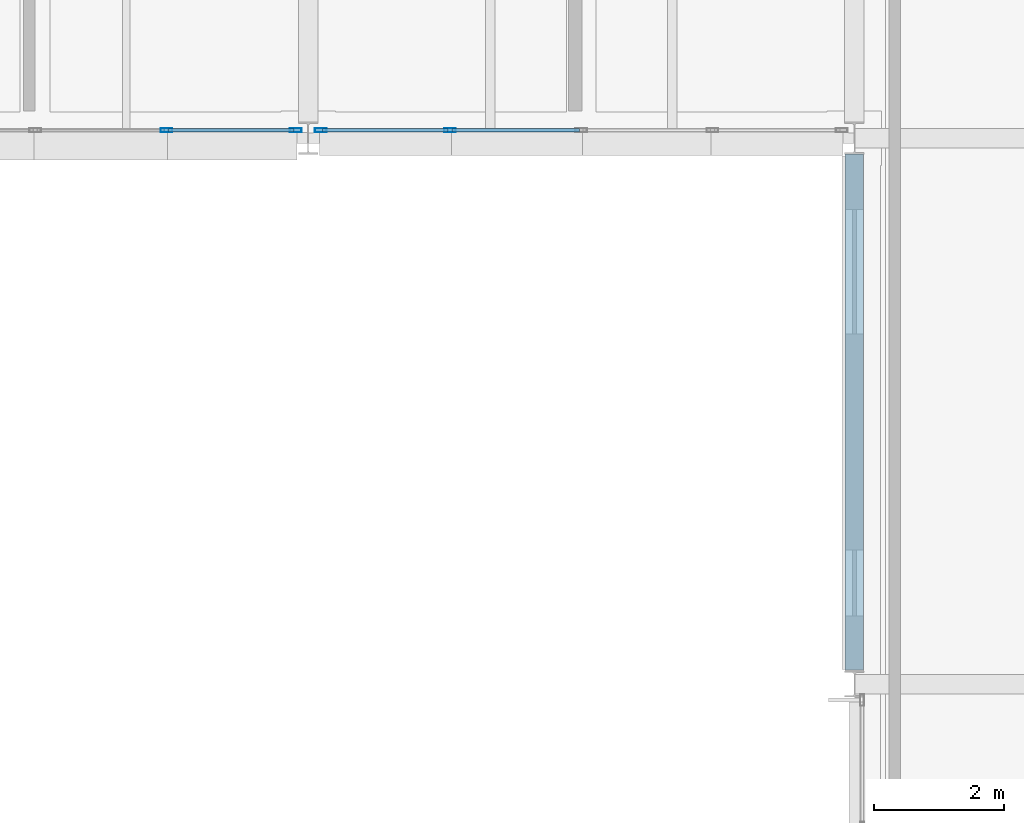
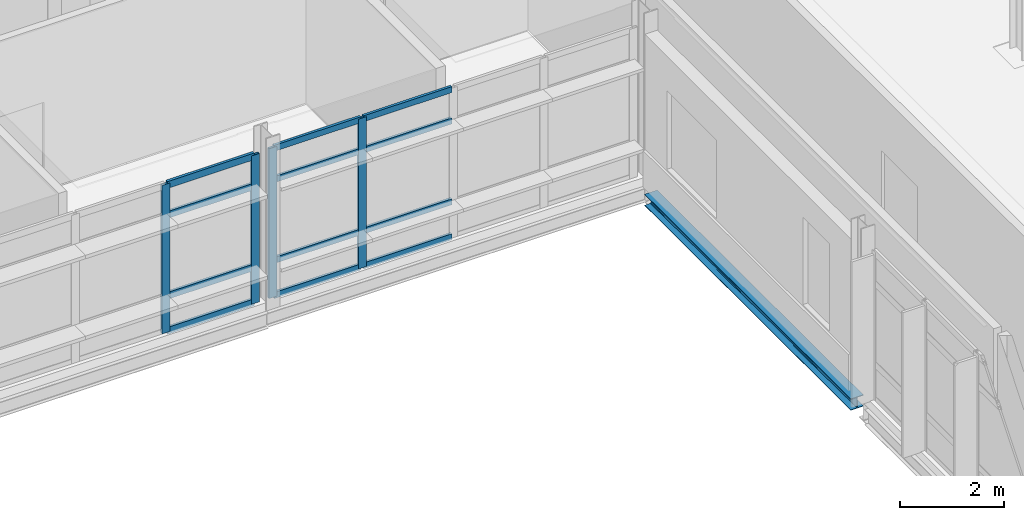
# One storey, part 72 of 151: 16 members, 1 beam, 2 elements without a shape of their own.
"""IFC4 building model written with IfcOpenShell, lengths in metres."""

from ifc_helpers import new_model, si_unit, direction, frame, origin, origin_2d, place, context, subcontext, project, spatial, hollow_rectangle, i_section, extrude, material, material_profile, profile_set, type_object, element, aggregate, save


model = new_model("IFC4")

# Units and contexts
model_context = context("Model", 3, precision=1e-05, world=origin(), true_north=direction((0.0, 1.0)))
body_context = subcontext(model_context, "Body", "Model", "MODEL_VIEW")
ifc_project = project(units=[si_unit("LENGTHUNIT", "METRE"), si_unit("AREAUNIT", "SQUARE_METRE"), si_unit("VOLUMEUNIT", "CUBIC_METRE"), si_unit("PLANEANGLEUNIT", "RADIAN"), si_unit("MASSUNIT", "GRAM", prefix="KILO")], contexts=[model_context])

# Site, building, storey
site_placement = place(None, origin())
site = spatial("IfcSite", under=ifc_project, at=site_placement, CompositionType="ELEMENT")
building_placement = place(site_placement, origin())
building = spatial("IfcBuilding", under=site, at=building_placement, Name="Mersafa Astral City Hall", CompositionType="ELEMENT")
storey_placement = place(building_placement, frame((0.0, 0.0, 9.89990234375)))
storey = spatial("IfcBuildingStorey", under=building, at=storey_placement, Name="L02", CompositionType="ELEMENT", Elevation=9.89990234375)

# Curtain wall, members
ifc_material_1 = material(Name="Anodised bronze aluminium framing", Category="aluminium")
curtain_wall_type_1 = type_object("IfcCurtainWallType", Name="ENV-CW-3", PredefinedType="USERDEFINED", material=ifc_material_1)
curtain_wall_1_placement = place(storey_placement, origin())
curtain_wall_1 = element("IfcCurtainWall", 1, at=curtain_wall_1_placement, inside=storey, type_object=curtain_wall_type_1, Name="L02 Unitised solar curtain wall 140", ObjectType="UNITISED CURTAIN WALL", PredefinedType="USERDEFINED")
ifc_material_profile_1 = material_profile(ifc_material_1, hollow_rectangle(XDim=0.06005859375, YDim=0.179931640625, WallThickness=0.00390625, at=origin_2d()), Name="RHS 60x180x4")
ifc_profile_set_1 = profile_set([ifc_material_profile_1], Name="Anodised bronze aluminium framing")
member_type_1 = type_object("IfcMemberType", Name="ENV-CW-MUL-1", PredefinedType="MULLION", material=ifc_profile_set_1)
member_1_placement = place(storey_placement, frame((90.218994140625, 117.719970703125, -0.001953125), z_axis=(0.0, 0.0, 1.0), x_axis=(0.0, 1.0, 0.0)))
member_1 = element("IfcMember", 2, at=member_1_placement, type_object=member_type_1, Name="CW-3 mullion 4", PredefinedType="MULLION", context=body_context, shape_type="SweptSolid", body=[
    extrude(hollow_rectangle(XDim=0.06005859375, YDim=0.179931640625, WallThickness=0.00390625, at=origin_2d()), origin(), (0.0, 0.0, 1.0), 3.489013671875),
])
member_2_placement = place(storey_placement, frame((92.2080078125, 117.719970703125, -0.001953125), z_axis=(0.0, 0.0, 1.0), x_axis=(0.0, 1.0, 0.0)))
member_2 = element("IfcMember", 3, at=member_2_placement, type_object=member_type_1, Name="CW-3 mullion 5", PredefinedType="MULLION", context=body_context, shape_type="SweptSolid", body=[
    extrude(hollow_rectangle(XDim=0.06005859375, YDim=0.179931640625, WallThickness=0.00390625, at=origin_2d()), origin(), (0.0, 0.0, 1.0), 3.489013671875),
])

curtain_wall_type_2 = type_object("IfcCurtainWallType", Name="ENV-CW-4", PredefinedType="USERDEFINED", material=ifc_material_1)
curtain_wall_2_placement = place(storey_placement, origin())
curtain_wall_2 = element("IfcCurtainWall", 4, at=curtain_wall_2_placement, inside=storey, type_object=curtain_wall_type_2, Name="L02 Unitised solar curtain wall 141", ObjectType="UNITISED CURTAIN WALL", PredefinedType="USERDEFINED")
member_3_placement = place(storey_placement, frame((92.592041015625, 117.719970703125, -0.001953125), z_axis=(0.0, 0.0, 1.0), x_axis=(0.0, 1.0, 0.0)))
member_3 = element("IfcMember", 5, at=member_3_placement, type_object=member_type_1, Name="CW-4 mullion 1", PredefinedType="MULLION", context=body_context, shape_type="SweptSolid", body=[
    extrude(hollow_rectangle(XDim=0.06005859375, YDim=0.179931640625, WallThickness=0.00390625, at=origin_2d()), origin(), (0.0, 0.0, 1.0), 3.51904296875),
])
member_4_placement = place(storey_placement, frame((94.5810546875, 117.719970703125, -0.001953125), z_axis=(0.0, 0.0, 1.0), x_axis=(0.0, 1.0, 0.0)))
member_4 = element("IfcMember", 6, at=member_4_placement, type_object=member_type_1, Name="CW-4 mullion 2", PredefinedType="MULLION", context=body_context, shape_type="SweptSolid", body=[
    extrude(hollow_rectangle(XDim=0.06005859375, YDim=0.179931640625, WallThickness=0.00390625, at=origin_2d()), origin(), (0.0, 0.0, 1.0), 3.51904296875),
])
ifc_material_profile_2 = material_profile(ifc_material_1, hollow_rectangle(XDim=0.06005859375, YDim=0.139892578125, WallThickness=0.00390625, at=origin_2d()), Name="RHS 60x140x4")
ifc_profile_set_2 = profile_set([ifc_material_profile_2], Name="Anodised bronze aluminium framing")
member_type_2 = type_object("IfcMemberType", Name="ENV-CW-TRN-1", PredefinedType="USERDEFINED", material=ifc_profile_set_2)
member_5_placement = place(storey_placement, frame((92.6220703125, 117.719970703125, 0.028076171875), z_axis=(1.0, 0.0, 0.0), x_axis=(0.0, 1.0, 0.0)))
member_5 = element("IfcMember", 7, at=member_5_placement, type_object=member_type_2, Name="CW-4 transom 1.1", ObjectType="TRANSOM", PredefinedType="USERDEFINED", context=body_context, shape_type="SweptSolid", body=[
    extrude(hollow_rectangle(XDim=0.06005859375, YDim=0.139892578125, WallThickness=0.00390625, at=origin_2d()), origin(), (0.0, 0.0, 1.0), 1.928955078125),
])
member_6_placement = place(storey_placement, frame((92.6220703125, 117.719970703125, 0.85009765625), z_axis=(1.0, 0.0, 0.0), x_axis=(0.0, 1.0, 0.0)))
member_6 = element("IfcMember", 8, at=member_6_placement, type_object=member_type_2, Name="CW-4 transom 1.2", ObjectType="TRANSOM", PredefinedType="USERDEFINED", context=body_context, shape_type="SweptSolid", body=[
    extrude(hollow_rectangle(XDim=0.06005859375, YDim=0.139892578125, WallThickness=0.00390625, at=origin_2d()), origin(), (0.0, 0.0, 1.0), 1.928955078125),
])
member_7_placement = place(storey_placement, frame((92.6220703125, 117.719970703125, 2.75), z_axis=(1.0, 0.0, 0.0), x_axis=(0.0, 1.0, 0.0)))
member_7 = element("IfcMember", 9, at=member_7_placement, type_object=member_type_2, Name="CW-4 transom 1.3", ObjectType="TRANSOM", PredefinedType="USERDEFINED", context=body_context, shape_type="SweptSolid", body=[
    extrude(hollow_rectangle(XDim=0.06005859375, YDim=0.139892578125, WallThickness=0.00390625, at=origin_2d()), origin(), (0.0, 0.0, 1.0), 1.928955078125),
])
member_8_placement = place(storey_placement, frame((92.6220703125, 117.719970703125, 3.487060546875), z_axis=(1.0, 0.0, 0.0), x_axis=(0.0, 1.0, 0.0)))
member_8 = element("IfcMember", 10, at=member_8_placement, type_object=member_type_2, Name="CW-4 transom 1.4", ObjectType="TRANSOM", PredefinedType="USERDEFINED", context=body_context, shape_type="SweptSolid", body=[
    extrude(hollow_rectangle(XDim=0.06005859375, YDim=0.139892578125, WallThickness=0.00390625, at=origin_2d()), origin(), (0.0, 0.0, 1.0), 1.928955078125),
])
member_9_placement = place(storey_placement, frame((94.611083984375, 117.719970703125, 0.028076171875), z_axis=(1.0, 0.0, 0.0), x_axis=(0.0, 1.0, 0.0)))
member_9 = element("IfcMember", 11, at=member_9_placement, type_object=member_type_2, Name="CW-4 transom 2.1", ObjectType="TRANSOM", PredefinedType="USERDEFINED", context=body_context, shape_type="SweptSolid", body=[
    extrude(hollow_rectangle(XDim=0.06005859375, YDim=0.139892578125, WallThickness=0.00390625, at=origin_2d()), origin(), (0.0, 0.0, 1.0), 1.958984375),
])
member_10_placement = place(storey_placement, frame((94.611083984375, 117.719970703125, 0.85009765625), z_axis=(1.0, 0.0, 0.0), x_axis=(0.0, 1.0, 0.0)))
member_10 = element("IfcMember", 12, at=member_10_placement, type_object=member_type_2, Name="CW-4 transom 2.2", ObjectType="TRANSOM", PredefinedType="USERDEFINED", context=body_context, shape_type="SweptSolid", body=[
    extrude(hollow_rectangle(XDim=0.06005859375, YDim=0.139892578125, WallThickness=0.00390625, at=origin_2d()), origin(), (0.0, 0.0, 1.0), 1.958984375),
])
member_11_placement = place(storey_placement, frame((94.611083984375, 117.719970703125, 2.75), z_axis=(1.0, 0.0, 0.0), x_axis=(0.0, 1.0, 0.0)))
member_11 = element("IfcMember", 13, at=member_11_placement, type_object=member_type_2, Name="CW-4 transom 2.3", ObjectType="TRANSOM", PredefinedType="USERDEFINED", context=body_context, shape_type="SweptSolid", body=[
    extrude(hollow_rectangle(XDim=0.06005859375, YDim=0.139892578125, WallThickness=0.00390625, at=origin_2d()), origin(), (0.0, 0.0, 1.0), 1.958984375),
])
member_12_placement = place(storey_placement, frame((94.611083984375, 117.719970703125, 3.487060546875), z_axis=(1.0, 0.0, 0.0), x_axis=(0.0, 1.0, 0.0)))
member_12 = element("IfcMember", 14, at=member_12_placement, type_object=member_type_2, Name="CW-4 transom 2.4", ObjectType="TRANSOM", PredefinedType="USERDEFINED", context=body_context, shape_type="SweptSolid", body=[
    extrude(hollow_rectangle(XDim=0.06005859375, YDim=0.139892578125, WallThickness=0.00390625, at=origin_2d()), origin(), (0.0, 0.0, 1.0), 1.958984375),
])
aggregate(curtain_wall_2, [member_3, member_4, member_5, member_6, member_7, member_8, member_9, member_10, member_11, member_12])

# Member
ifc_material_profile_3 = material_profile(ifc_material_1, hollow_rectangle(XDim=0.06005859375, YDim=0.159912109375, WallThickness=0.00390625, at=origin_2d()), Name="RHS 60x160x4")
ifc_profile_set_3 = profile_set([ifc_material_profile_3], Name="Anodised bronze aluminium framing")
member_type_3 = type_object("IfcMemberType", Name="ENV-CW-TRN-2", PredefinedType="USERDEFINED", material=ifc_profile_set_3)
member_13_placement = place(storey_placement, frame((90.2490234375, 117.719970703125, 0.028076171875), z_axis=(1.0, 0.0, 0.0), x_axis=(0.0, 1.0, 0.0)))
member_13 = element("IfcMember", 15, at=member_13_placement, type_object=member_type_3, Name="CW-3 transom 4.1", ObjectType="TRANSOM", PredefinedType="USERDEFINED", context=body_context, shape_type="SweptSolid", body=[
    extrude(hollow_rectangle(XDim=0.06005859375, YDim=0.159912109375, WallThickness=0.00390625, at=origin_2d()), origin(), (0.0, 0.0, 1.0), 1.928955078125),
])

member_14_placement = place(storey_placement, frame((90.2490234375, 117.719970703125, 0.85009765625), z_axis=(1.0, 0.0, 0.0), x_axis=(0.0, 1.0, 0.0)))
member_14 = element("IfcMember", 16, at=member_14_placement, type_object=member_type_3, Name="CW-3 transom 4.2", ObjectType="TRANSOM", PredefinedType="USERDEFINED", context=body_context, shape_type="SweptSolid", body=[
    extrude(hollow_rectangle(XDim=0.06005859375, YDim=0.159912109375, WallThickness=0.00390625, at=origin_2d()), origin(), (0.0, 0.0, 1.0), 1.928955078125),
])

member_15_placement = place(storey_placement, frame((90.2490234375, 117.719970703125, 2.75), z_axis=(1.0, 0.0, 0.0), x_axis=(0.0, 1.0, 0.0)))
member_15 = element("IfcMember", 17, at=member_15_placement, type_object=member_type_3, Name="CW-3 transom 4.3", ObjectType="TRANSOM", PredefinedType="USERDEFINED", context=body_context, shape_type="SweptSolid", body=[
    extrude(hollow_rectangle(XDim=0.06005859375, YDim=0.159912109375, WallThickness=0.00390625, at=origin_2d()), origin(), (0.0, 0.0, 1.0), 1.928955078125),
])

member_16_placement = place(storey_placement, frame((90.2490234375, 117.719970703125, 3.45703125), z_axis=(1.0, 0.0, 0.0), x_axis=(0.0, 1.0, 0.0)))
member_16 = element("IfcMember", 18, at=member_16_placement, type_object=member_type_3, Name="CW-3 transom 4.4", ObjectType="TRANSOM", PredefinedType="USERDEFINED", context=body_context, shape_type="SweptSolid", body=[
    extrude(hollow_rectangle(XDim=0.06005859375, YDim=0.159912109375, WallThickness=0.00390625, at=origin_2d()), origin(), (0.0, 0.0, 1.0), 1.928955078125),
])

aggregate(curtain_wall_1, [member_1, member_2, member_13, member_14, member_15, member_16])

# Beam
ifc_material_2 = material(Name="Steel S355", Category="steel")
ifc_material_profile_4 = material_profile(ifc_material_2, i_section(OverallWidth=0.280029296875, OverallDepth=0.27001953125, WebThickness=0.008056640625, FlangeThickness=0.012939453125, FilletRadius=0.02392578125, at=origin_2d()), Name="HEA 280")
ifc_profile_set_4 = profile_set([ifc_material_profile_4], Name="Steel S355")
beam_type = type_object("IfcBeamType", Name="STR-BM-SPANDREL-HEA280", PredefinedType="SPANDREL", material=ifc_profile_set_4)
beam_placement = place(storey_placement, frame((100.800048828125, 109.419921875, -0.3349609375), z_axis=(0.0, 1.0, 0.0), x_axis=(-1.0, 0.0, 0.0)))
element("IfcBeam", 19, at=beam_placement, inside=storey, type_object=beam_type, Name="L02 Primary girder Y 12-13", PredefinedType="SPANDREL", context=body_context, shape_type="SweptSolid", body=[
    extrude(i_section(OverallWidth=0.280029296875, OverallDepth=0.27001953125, WebThickness=0.008056640625, FlangeThickness=0.012939453125, FilletRadius=0.02392578125, at=origin_2d()), origin(), (0.0, 0.0, 1.0), 7.93505859375),
])

save(model, "model.ifc")
